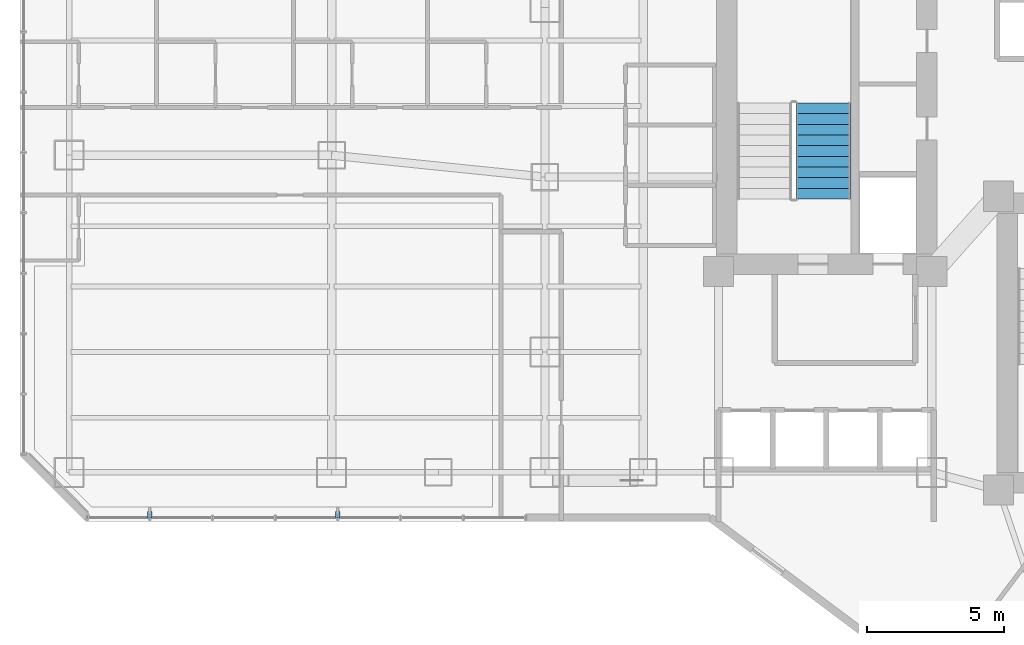
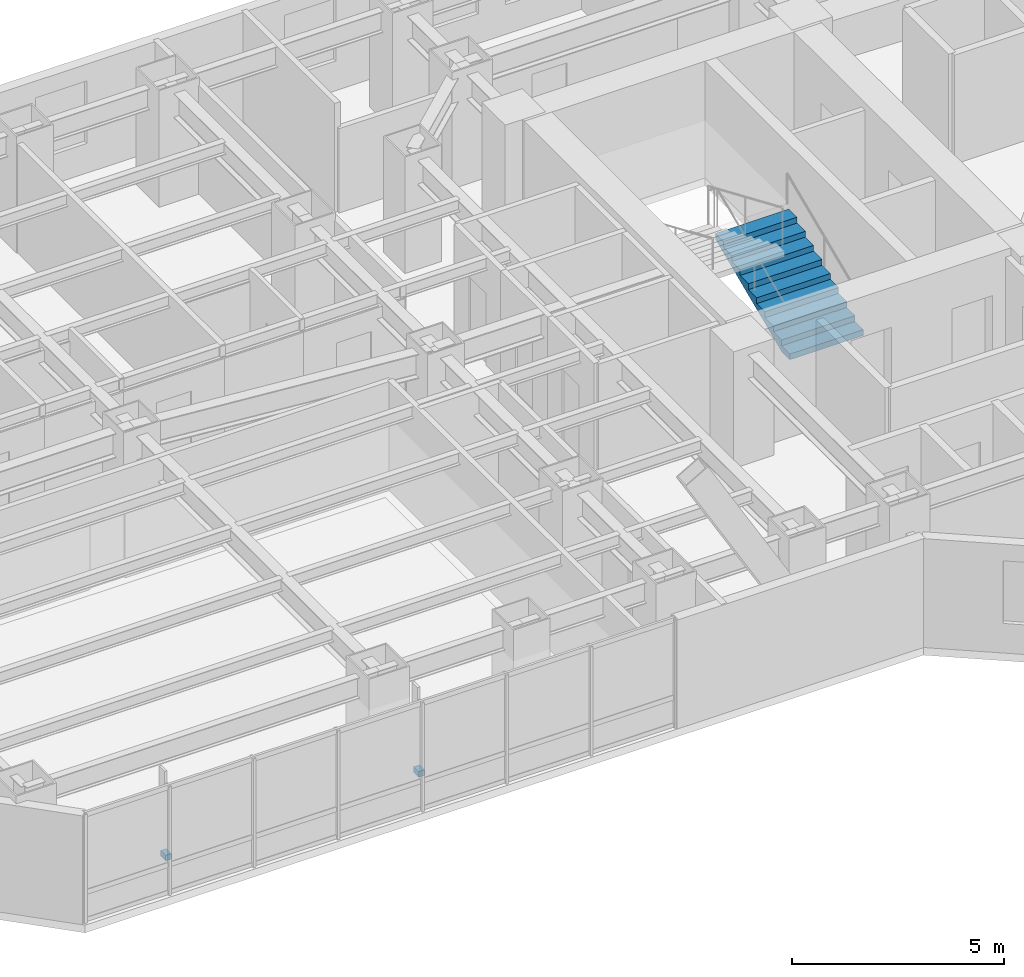
# One storey, part 27 of 33: 2 discrete accessories, 1 stair flight, 1 element without a shape of its own.
"""IFC4 building model written with IfcOpenShell, lengths in metres."""

from ifc_helpers import new_model, si_unit, direction, frame, origin, origin_2d, place, context, subcontext, project, spatial, polyline, rectangle, outline, extrude, material, type_object, element, aggregate, save


model = new_model("IFC4")

# Units and contexts
model_context = context("Model", 3, precision=1e-05, world=origin(), true_north=direction((0.0, 1.0)))
body_context = subcontext(model_context, "Body", "Model", "MODEL_VIEW")
ifc_project = project(units=[si_unit("LENGTHUNIT", "METRE"), si_unit("AREAUNIT", "SQUARE_METRE"), si_unit("VOLUMEUNIT", "CUBIC_METRE"), si_unit("PLANEANGLEUNIT", "RADIAN"), si_unit("MASSUNIT", "GRAM", prefix="KILO")], contexts=[model_context])

# Site, building, storey
site_placement = place(None, origin())
site = spatial("IfcSite", under=ifc_project, at=site_placement, CompositionType="ELEMENT")
building_placement = place(site_placement, origin())
building = spatial("IfcBuilding", under=site, at=building_placement, Name="Hatsunagi Terrace Concourse", CompositionType="ELEMENT")
storey_placement = place(building_placement, frame((0.0, 0.0, 56.699951171875)))
storey = spatial("IfcBuildingStorey", under=building, at=storey_placement, Name="L14", CompositionType="ELEMENT", Elevation=56.699951171875)

# Stair, stair flight
ifc_material_1 = material(Name="Concrete Fc42", Category="concrete")
stair_type = type_object("IfcStairType", Name="DoglegExitStair_Tower2000_20R_167", PredefinedType="HALF_TURN_STAIR", material=ifc_material_1)
stair_placement = place(storey_placement, origin())
stair = element("IfcStair", 1, at=stair_placement, inside=storey, type_object=stair_type, Name="L14 Core A Protected Exit Stair ST-A", PredefinedType="HALF_TURN_STAIR")
ifc_material_2 = material(Name="Concrete Fc42", Category="concrete")
stair_flight_type = type_object("IfcStairFlightType", Name="DoglegStairFlight_Tower2000_20R_167", PredefinedType="STRAIGHT", material=ifc_material_2)
stair_flight_placement = place(storey_placement, frame((29.3798828125, 35.199951171875, 0.0), z_axis=(0.0, 0.0, 1.0), x_axis=(0.0, 1.0, 0.0)))
stair_flight = element("IfcStairFlight", 2, at=stair_flight_placement, type_object=stair_flight_type, Name="ST-A flight 1", NumberOfRisers=10, NumberOfTreads=9, PredefinedType="STRAIGHT", RiserHeight=0.1675, TreadLength=0.39, context=body_context, shape_type="SweptSolid", body=[
    extrude(outline(polyline([(0.0, 0.0), (0.0, 0.16748046875), (0.389892578125, 0.16748046875), (0.389892578125, 0.3349609375), (0.780029296875, 0.3349609375), (0.780029296875, 0.50244140625), (1.169921875, 0.50244140625), (1.169921875, 0.669921875), (1.56005859375, 0.669921875), (1.56005859375, 0.83740234375), (1.949951171875, 0.83740234375), (1.949951171875, 1.0048828125), (2.340087890625, 1.0048828125), (2.340087890625, 1.172607421875), (2.72998046875, 1.172607421875), (2.72998046875, 1.340087890625), (3.1201171875, 1.340087890625), (3.1201171875, 1.507568359375), (3.510009765625, 1.507568359375), (3.510009765625, 1.675048828125), (3.510009765625, 1.34423828125), (0.3798828125, 0.0), (0.0, 0.0)])), frame((0.0, 1.0, 0.0), z_axis=(0.0, -1.0, 0.0), x_axis=(1.0, 0.0, 0.0)), (0.0, 0.0, 1.0), 2.0),
])
aggregate(stair, [stair_flight])

# Discrete accessories
ifc_material_3 = material(Name="Stainless Steel SUS316 Bracket", Category="steel")
discrete_accessory_type = type_object("IfcDiscreteAccessoryType", Name="FacadeScreenSupportBracket_SS", PredefinedType="BRACKET", material=ifc_material_3)
for number, where, z_axis, x_axis, name in (
    (3, (11.625, 23.64990234375, 0.97021484375), (0.0, 0.0, 1.0), (-1.0, 0.0, 0.0), "Terracotta Screen Bracket BRK-01"),
    (4, (4.75, 23.64990234375, 0.97021484375), (0.0, 0.0, 1.0), (-1.0, 0.0, 0.0), "Terracotta Screen Bracket BRK-01"),
):
    element("IfcDiscreteAccessory", number, at=place(storey_placement, frame(where, z_axis=z_axis, x_axis=x_axis)), inside=storey, type_object=discrete_accessory_type, Name=name, PredefinedType="BRACKET", context=body_context, shape_type="SweptSolid", body=[
        extrude(rectangle(XDim=0.159912109375, YDim=0.239990234375, at=origin_2d()), origin(), (0.0, 0.0, 1.0), 0.159912109375),
    ])

save(model, "model.ifc")
